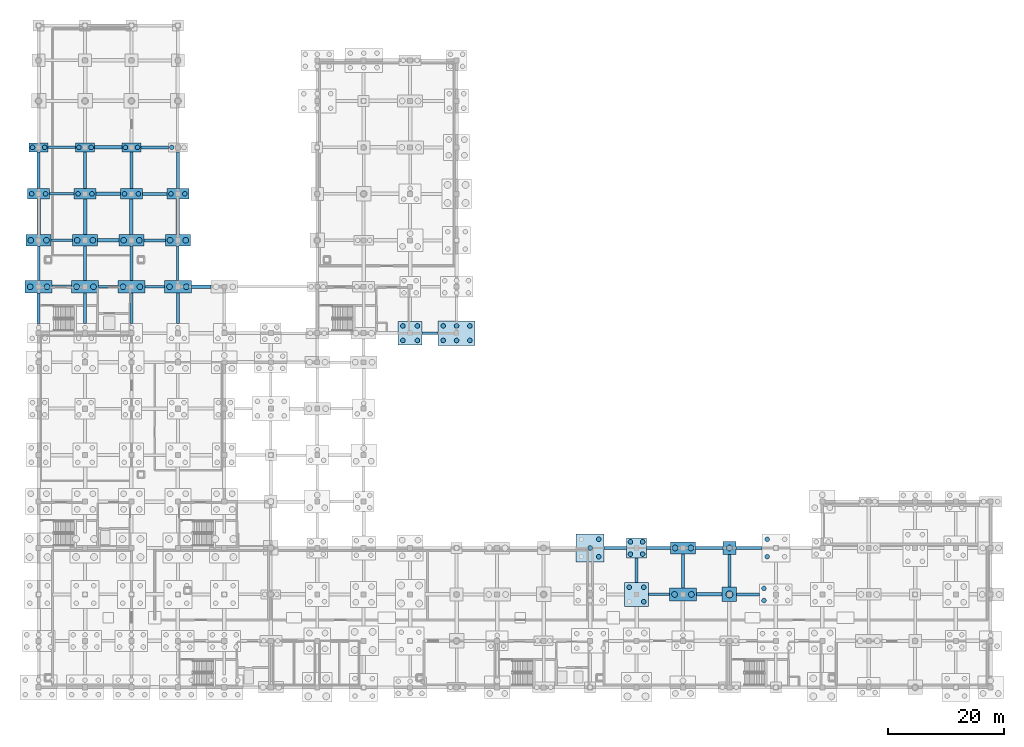
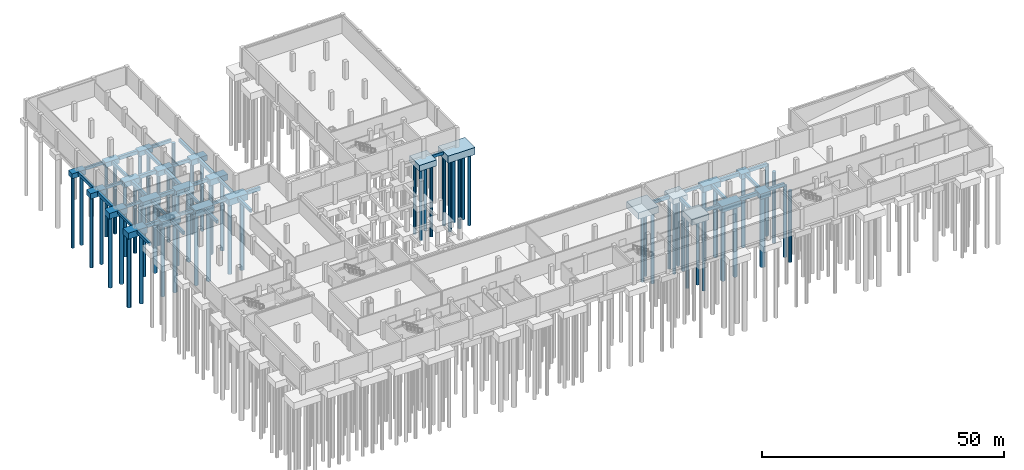
# One storey, part 6 of 26: 64 footings, 61 piles.
"""IFC4 building model written with IfcOpenShell, lengths in metres."""

from ifc_helpers import new_model, si_unit, direction, frame, origin, origin_2d, place, context, subcontext, project, spatial, rectangle, circle, extrude, material, layer, layer_set, material_profile, profile_set, type_object, element, save


model = new_model("IFC4")

# Units and contexts
model_context = context("Model", 3, precision=1e-05, world=origin(), true_north=direction((0.0, 1.0)))
body_context = subcontext(model_context, "Body", "Model", "MODEL_VIEW")
ifc_project = project(units=[si_unit("LENGTHUNIT", "METRE"), si_unit("AREAUNIT", "SQUARE_METRE"), si_unit("VOLUMEUNIT", "CUBIC_METRE"), si_unit("PLANEANGLEUNIT", "RADIAN"), si_unit("MASSUNIT", "GRAM", prefix="KILO")], contexts=[model_context])

# Site, building, storey
site_placement = place(None, origin())
site = spatial("IfcSite", under=ifc_project, at=site_placement, CompositionType="ELEMENT")
building_placement = place(site_placement, origin())
building = spatial("IfcBuilding", under=site, at=building_placement, Name="Qorikala Patio Media Centre", CompositionType="ELEMENT")
storey_placement = place(building_placement, frame((0.0, 0.0, -4.5)))
storey = spatial("IfcBuildingStorey", under=building, at=storey_placement, Name="B1", CompositionType="ELEMENT", Elevation=-4.5)

# Footings
ifc_material = material(Name="Concrete C30/37", Category="concrete")
ifc_material_profile_1 = material_profile(ifc_material, rectangle(XDim=0.449951171875, YDim=0.699951171875, at=origin_2d()), Name="RC 450x700")
ifc_profile_set_1 = profile_set([ifc_material_profile_1], Name="Concrete C30/37")
footing_type_1 = type_object("IfcFootingType", Name="GB-450X700", PredefinedType="FOOTING_BEAM", material=ifc_profile_set_1)
footing_1_placement = place(storey_placement, frame((108.050048828125, 19.0, -0.949951171875), z_axis=(1.0, 0.0, 0.0), x_axis=(0.0, 1.0, 0.0)))
element("IfcFooting", 1, at=footing_1_placement, inside=storey, type_object=footing_type_1, Name="Ground Tie Beam X-056", PredefinedType="FOOTING_BEAM", context=body_context, shape_type="SweptSolid", body=[
    extrude(rectangle(XDim=0.449951171875, YDim=0.699951171875, at=origin_2d()), origin(), (0.0, 0.0, 1.0), 3.64990234375),
])
footing_2_placement = place(storey_placement, frame((107.75, 27.0, -0.949951171875), z_axis=(1.0, 0.0, 0.0), x_axis=(0.0, 1.0, 0.0)))
element("IfcFooting", 2, at=footing_2_placement, inside=storey, type_object=footing_type_1, Name="Ground Tie Beam X-077", PredefinedType="FOOTING_BEAM", context=body_context, shape_type="SweptSolid", body=[
    extrude(rectangle(XDim=0.449951171875, YDim=0.699951171875, at=origin_2d()), origin(), (0.0, 0.0, 1.0), 4.10009765625),
])
footing_3_placement = place(storey_placement, frame((69.050048828125, 64.0, -0.949951171875), z_axis=(1.0, 0.0, 0.0), x_axis=(0.0, 1.0, 0.0)))
element("IfcFooting", 3, at=footing_3_placement, inside=storey, type_object=footing_type_1, Name="Ground Tie Beam X-125", PredefinedType="FOOTING_BEAM", context=body_context, shape_type="SweptSolid", body=[
    extrude(rectangle(XDim=0.449951171875, YDim=0.699951171875, at=origin_2d()), origin(), (0.0, 0.0, 1.0), 2.75),
])
footing_4_placement = place(storey_placement, frame((21.300048828125, 72.0, -0.949951171875), z_axis=(1.0, 0.0, 0.0), x_axis=(0.0, 1.0, 0.0)))
element("IfcFooting", 4, at=footing_4_placement, inside=storey, type_object=footing_type_1, Name="Ground Tie Beam X-128", PredefinedType="FOOTING_BEAM", context=body_context, shape_type="SweptSolid", body=[
    extrude(rectangle(XDim=0.449951171875, YDim=0.699951171875, at=origin_2d()), origin(), (0.0, 0.0, 1.0), 3.39990234375),
])
footing_5_placement = place(storey_placement, frame((5.14990234375, 80.0, -0.949951171875), z_axis=(1.0, 0.0, 0.0), x_axis=(0.0, 1.0, 0.0)))
element("IfcFooting", 5, at=footing_5_placement, inside=storey, type_object=footing_type_1, Name="Ground Tie Beam X-134", PredefinedType="FOOTING_BEAM", context=body_context, shape_type="SweptSolid", body=[
    extrude(rectangle(XDim=0.449951171875, YDim=0.699951171875, at=origin_2d()), origin(), (0.0, 0.0, 1.0), 3.7001953125),
])
footing_6_placement = place(storey_placement, frame((4.89990234375, 88.0, -0.949951171875), z_axis=(1.0, 0.0, 0.0), x_axis=(0.0, 1.0, 0.0)))
element("IfcFooting", 6, at=footing_6_placement, inside=storey, type_object=footing_type_1, Name="Ground Tie Beam X-140", PredefinedType="FOOTING_BEAM", context=body_context, shape_type="SweptSolid", body=[
    extrude(rectangle(XDim=0.449951171875, YDim=0.699951171875, at=origin_2d()), origin(), (0.0, 0.0, 1.0), 4.2001953125),
])
footing_7_placement = place(storey_placement, frame((4.64990234375, 96.0, -0.949951171875), z_axis=(1.0, 0.0, 0.0), x_axis=(0.0, 1.0, 0.0)))
element("IfcFooting", 7, at=footing_7_placement, inside=storey, type_object=footing_type_1, Name="Ground Tie Beam X-146", PredefinedType="FOOTING_BEAM", context=body_context, shape_type="SweptSolid", body=[
    extrude(rectangle(XDim=0.449951171875, YDim=0.699951171875, at=origin_2d()), origin(), (0.0, 0.0, 1.0), 4.7001953125),
])
for number, where, z_axis, x_axis, name in (
    (8, (3.0, 73.10009765625, -0.949951171875), (0.0, 1.0, 0.0), (-1.0, 0.0, 0.0), "Ground Tie Beam Y-176"),
    (9, (11.0, 73.10009765625, -0.949951171875), (0.0, 1.0, 0.0), (-1.0, 0.0, 0.0), "Ground Tie Beam Y-191"),
    (10, (19.0, 73.10009765625, -0.949951171875), (0.0, 1.0, 0.0), (-1.0, 0.0, 0.0), "Ground Tie Beam Y-206"),
    (11, (27.0, 73.10009765625, -0.949951171875), (0.0, 1.0, 0.0), (-1.0, 0.0, 0.0), "Ground Tie Beam Y-221"),
):
    element("IfcFooting", number, at=place(storey_placement, frame(where, z_axis=z_axis, x_axis=x_axis)), inside=storey, type_object=footing_type_1, Name=name, PredefinedType="FOOTING_BEAM", context=body_context, shape_type="SweptSolid", body=[
        extrude(rectangle(XDim=0.449951171875, YDim=0.699951171875, at=origin_2d()), origin(), (0.0, 0.0, 1.0), 5.89990234375),
    ])
ifc_material_profile_2 = material_profile(ifc_material, rectangle(XDim=0.5, YDim=0.800048828125, at=origin_2d()), Name="RC 500x800")
ifc_profile_set_2 = profile_set([ifc_material_profile_2], Name="Concrete C30/37")
footing_type_2 = type_object("IfcFootingType", Name="GB-500X800", PredefinedType="FOOTING_BEAM", material=ifc_profile_set_2)
footing_8_placement = place(storey_placement, frame((123.25, 19.0, -1.0), z_axis=(1.0, 0.0, 0.0), x_axis=(0.0, 1.0, 0.0)))
element("IfcFooting", 12, at=footing_8_placement, inside=storey, type_object=footing_type_2, Name="Ground Tie Beam X-058", PredefinedType="FOOTING_BEAM", context=body_context, shape_type="SweptSolid", body=[
    extrude(rectangle(XDim=0.5, YDim=0.800048828125, at=origin_2d()), origin(), (0.0, 0.0, 1.0), 3.949951171875),
])
footing_9_placement = place(storey_placement, frame((100.39990234375, 27.0, -1.0), z_axis=(1.0, 0.0, 0.0), x_axis=(0.0, 1.0, 0.0)))
element("IfcFooting", 13, at=footing_9_placement, inside=storey, type_object=footing_type_2, Name="Ground Tie Beam X-076", PredefinedType="FOOTING_BEAM", context=body_context, shape_type="SweptSolid", body=[
    extrude(rectangle(XDim=0.5, YDim=0.800048828125, at=origin_2d()), origin(), (0.0, 0.0, 1.0), 3.85009765625),
])
footing_10_placement = place(storey_placement, frame((123.10009765625, 27.0, -1.0), z_axis=(1.0, 0.0, 0.0), x_axis=(0.0, 1.0, 0.0)))
element("IfcFooting", 14, at=footing_10_placement, inside=storey, type_object=footing_type_2, Name="Ground Tie Beam X-079", PredefinedType="FOOTING_BEAM", context=body_context, shape_type="SweptSolid", body=[
    extrude(rectangle(XDim=0.5, YDim=0.800048828125, at=origin_2d()), origin(), (0.0, 0.0, 1.0), 4.5),
])
footing_11_placement = place(storey_placement, frame((13.300048828125, 72.0, -1.0), z_axis=(1.0, 0.0, 0.0), x_axis=(0.0, 1.0, 0.0)))
element("IfcFooting", 15, at=footing_11_placement, inside=storey, type_object=footing_type_2, Name="Ground Tie Beam X-127", PredefinedType="FOOTING_BEAM", context=body_context, shape_type="SweptSolid", body=[
    extrude(rectangle(XDim=0.5, YDim=0.800048828125, at=origin_2d()), origin(), (0.0, 0.0, 1.0), 3.39990234375),
])
footing_12_placement = place(storey_placement, frame((21.14990234375, 80.0, -1.0), z_axis=(1.0, 0.0, 0.0), x_axis=(0.0, 1.0, 0.0)))
element("IfcFooting", 16, at=footing_12_placement, inside=storey, type_object=footing_type_2, Name="Ground Tie Beam X-136", PredefinedType="FOOTING_BEAM", context=body_context, shape_type="SweptSolid", body=[
    extrude(rectangle(XDim=0.5, YDim=0.800048828125, at=origin_2d()), origin(), (0.0, 0.0, 1.0), 3.7001953125),
])
footing_13_placement = place(storey_placement, frame((20.89990234375, 88.0, -1.0), z_axis=(1.0, 0.0, 0.0), x_axis=(0.0, 1.0, 0.0)))
element("IfcFooting", 17, at=footing_13_placement, inside=storey, type_object=footing_type_2, Name="Ground Tie Beam X-142", PredefinedType="FOOTING_BEAM", context=body_context, shape_type="SweptSolid", body=[
    extrude(rectangle(XDim=0.5, YDim=0.800048828125, at=origin_2d()), origin(), (0.0, 0.0, 1.0), 4.2001953125),
])
footing_14_placement = place(storey_placement, frame((20.64990234375, 96.0, -1.0), z_axis=(1.0, 0.0, 0.0), x_axis=(0.0, 1.0, 0.0)))
element("IfcFooting", 18, at=footing_14_placement, inside=storey, type_object=footing_type_2, Name="Ground Tie Beam X-148", PredefinedType="FOOTING_BEAM", context=body_context, shape_type="SweptSolid", body=[
    extrude(rectangle(XDim=0.5, YDim=0.800048828125, at=origin_2d()), origin(), (0.0, 0.0, 1.0), 4.7001953125),
])
footing_15_placement = place(storey_placement, frame((3.0, 65.699951171875, -1.0), z_axis=(0.0, 1.0, 0.0), x_axis=(-1.0, 0.0, 0.0)))
element("IfcFooting", 19, at=footing_15_placement, inside=storey, type_object=footing_type_2, Name="Ground Tie Beam Y-175", PredefinedType="FOOTING_BEAM", context=body_context, shape_type="SweptSolid", body=[
    extrude(rectangle(XDim=0.5, YDim=0.800048828125, at=origin_2d()), origin(), (0.0, 0.0, 1.0), 5.199951171875),
])
footing_16_placement = place(storey_placement, frame((3.0, 88.89990234375, -1.0), z_axis=(0.0, 1.0, 0.0), x_axis=(-1.0, 0.0, 0.0)))
element("IfcFooting", 20, at=footing_16_placement, inside=storey, type_object=footing_type_2, Name="Ground Tie Beam Y-178", PredefinedType="FOOTING_BEAM", context=body_context, shape_type="SweptSolid", body=[
    extrude(rectangle(XDim=0.5, YDim=0.800048828125, at=origin_2d()), origin(), (0.0, 0.0, 1.0), 6.300048828125),
])
footing_17_placement = place(storey_placement, frame((11.0, 65.699951171875, -1.0), z_axis=(0.0, 1.0, 0.0), x_axis=(-1.0, 0.0, 0.0)))
element("IfcFooting", 21, at=footing_17_placement, inside=storey, type_object=footing_type_2, Name="Ground Tie Beam Y-190", PredefinedType="FOOTING_BEAM", context=body_context, shape_type="SweptSolid", body=[
    extrude(rectangle(XDim=0.5, YDim=0.800048828125, at=origin_2d()), origin(), (0.0, 0.0, 1.0), 5.199951171875),
])
footing_18_placement = place(storey_placement, frame((11.0, 88.89990234375, -1.0), z_axis=(0.0, 1.0, 0.0), x_axis=(-1.0, 0.0, 0.0)))
element("IfcFooting", 22, at=footing_18_placement, inside=storey, type_object=footing_type_2, Name="Ground Tie Beam Y-193", PredefinedType="FOOTING_BEAM", context=body_context, shape_type="SweptSolid", body=[
    extrude(rectangle(XDim=0.5, YDim=0.800048828125, at=origin_2d()), origin(), (0.0, 0.0, 1.0), 6.300048828125),
])
footing_19_placement = place(storey_placement, frame((19.0, 65.699951171875, -1.0), z_axis=(0.0, 1.0, 0.0), x_axis=(-1.0, 0.0, 0.0)))
element("IfcFooting", 23, at=footing_19_placement, inside=storey, type_object=footing_type_2, Name="Ground Tie Beam Y-205", PredefinedType="FOOTING_BEAM", context=body_context, shape_type="SweptSolid", body=[
    extrude(rectangle(XDim=0.5, YDim=0.800048828125, at=origin_2d()), origin(), (0.0, 0.0, 1.0), 5.199951171875),
])
footing_20_placement = place(storey_placement, frame((19.0, 88.89990234375, -1.0), z_axis=(0.0, 1.0, 0.0), x_axis=(-1.0, 0.0, 0.0)))
element("IfcFooting", 24, at=footing_20_placement, inside=storey, type_object=footing_type_2, Name="Ground Tie Beam Y-208", PredefinedType="FOOTING_BEAM", context=body_context, shape_type="SweptSolid", body=[
    extrude(rectangle(XDim=0.5, YDim=0.800048828125, at=origin_2d()), origin(), (0.0, 0.0, 1.0), 6.300048828125),
])
footing_21_placement = place(storey_placement, frame((27.0, 65.699951171875, -1.0), z_axis=(0.0, 1.0, 0.0), x_axis=(-1.0, 0.0, 0.0)))
element("IfcFooting", 25, at=footing_21_placement, inside=storey, type_object=footing_type_2, Name="Ground Tie Beam Y-220", PredefinedType="FOOTING_BEAM", context=body_context, shape_type="SweptSolid", body=[
    extrude(rectangle(XDim=0.5, YDim=0.800048828125, at=origin_2d()), origin(), (0.0, 0.0, 1.0), 5.199951171875),
])
footing_22_placement = place(storey_placement, frame((27.0, 88.89990234375, -1.0), z_axis=(0.0, 1.0, 0.0), x_axis=(-1.0, 0.0, 0.0)))
element("IfcFooting", 26, at=footing_22_placement, inside=storey, type_object=footing_type_2, Name="Ground Tie Beam Y-223", PredefinedType="FOOTING_BEAM", context=body_context, shape_type="SweptSolid", body=[
    extrude(rectangle(XDim=0.5, YDim=0.800048828125, at=origin_2d()), origin(), (0.0, 0.0, 1.0), 6.300048828125),
])
footing_23_placement = place(storey_placement, frame((106.0, 21.050048828125, -1.0), z_axis=(0.0, 1.0, 0.0), x_axis=(-1.0, 0.0, 0.0)))
element("IfcFooting", 27, at=footing_23_placement, inside=storey, type_object=footing_type_2, Name="Ground Tie Beam Y-301", PredefinedType="FOOTING_BEAM", context=body_context, shape_type="SweptSolid", body=[
    extrude(rectangle(XDim=0.5, YDim=0.800048828125, at=origin_2d()), origin(), (0.0, 0.0, 1.0), 4.199951171875),
])
footing_24_placement = place(storey_placement, frame((114.0, 20.10009765625, -1.0), z_axis=(0.0, 1.0, 0.0), x_axis=(-1.0, 0.0, 0.0)))
element("IfcFooting", 28, at=footing_24_placement, inside=storey, type_object=footing_type_2, Name="Ground Tie Beam Y-304", PredefinedType="FOOTING_BEAM", context=body_context, shape_type="SweptSolid", body=[
    extrude(rectangle(XDim=0.5, YDim=0.800048828125, at=origin_2d()), origin(), (0.0, 0.0, 1.0), 5.89990234375),
])
footing_25_placement = place(storey_placement, frame((122.0, 20.25, -1.0), z_axis=(0.0, 1.0, 0.0), x_axis=(-1.0, 0.0, 0.0)))
element("IfcFooting", 29, at=footing_25_placement, inside=storey, type_object=footing_type_2, Name="Ground Tie Beam Y-307", PredefinedType="FOOTING_BEAM", context=body_context, shape_type="SweptSolid", body=[
    extrude(rectangle(XDim=0.5, YDim=0.800048828125, at=origin_2d()), origin(), (0.0, 0.0, 1.0), 5.64990234375),
])
ifc_material_profile_3 = material_profile(ifc_material, rectangle(XDim=0.60009765625, YDim=0.89990234375, at=origin_2d()), Name="RC 600x900")
ifc_profile_set_3 = profile_set([ifc_material_profile_3], Name="Concrete C30/37")
footing_type_3 = type_object("IfcFootingType", Name="GB-600X900", PredefinedType="FOOTING_BEAM", material=ifc_profile_set_3)
footing_26_placement = place(storey_placement, frame((116.300048828125, 19.0, -1.050048828125), z_axis=(1.0, 0.0, 0.0), x_axis=(0.0, 1.0, 0.0)))
element("IfcFooting", 30, at=footing_26_placement, inside=storey, type_object=footing_type_3, Name="Ground Tie Beam X-057", PredefinedType="FOOTING_BEAM", context=body_context, shape_type="SweptSolid", body=[
    extrude(rectangle(XDim=0.60009765625, YDim=0.89990234375, at=origin_2d()), origin(), (0.0, 0.0, 1.0), 4.449951171875),
])
footing_27_placement = place(storey_placement, frame((116.14990234375, 27.0, -1.050048828125), z_axis=(1.0, 0.0, 0.0), x_axis=(0.0, 1.0, 0.0)))
element("IfcFooting", 31, at=footing_27_placement, inside=storey, type_object=footing_type_3, Name="Ground Tie Beam X-078", PredefinedType="FOOTING_BEAM", context=body_context, shape_type="SweptSolid", body=[
    extrude(rectangle(XDim=0.60009765625, YDim=0.89990234375, at=origin_2d()), origin(), (0.0, 0.0, 1.0), 4.75),
])
for number, where, z_axis, x_axis, name in (
    (32, (5.300048828125, 72.0, -1.050048828125), (1.0, 0.0, 0.0), (0.0, 1.0, 0.0), "Ground Tie Beam X-126"),
    (33, (29.300048828125, 72.0, -1.050048828125), (1.0, 0.0, 0.0), (0.0, 1.0, 0.0), "Ground Tie Beam X-129"),
):
    element("IfcFooting", number, at=place(storey_placement, frame(where, z_axis=z_axis, x_axis=x_axis)), inside=storey, type_object=footing_type_3, Name=name, PredefinedType="FOOTING_BEAM", context=body_context, shape_type="SweptSolid", body=[
        extrude(rectangle(XDim=0.60009765625, YDim=0.89990234375, at=origin_2d()), origin(), (0.0, 0.0, 1.0), 3.39990234375),
    ])
footing_28_placement = place(storey_placement, frame((13.14990234375, 80.0, -1.050048828125), z_axis=(1.0, 0.0, 0.0), x_axis=(0.0, 1.0, 0.0)))
element("IfcFooting", 34, at=footing_28_placement, inside=storey, type_object=footing_type_3, Name="Ground Tie Beam X-135", PredefinedType="FOOTING_BEAM", context=body_context, shape_type="SweptSolid", body=[
    extrude(rectangle(XDim=0.60009765625, YDim=0.89990234375, at=origin_2d()), origin(), (0.0, 0.0, 1.0), 3.7001953125),
])
footing_29_placement = place(storey_placement, frame((12.89990234375, 88.0, -1.050048828125), z_axis=(1.0, 0.0, 0.0), x_axis=(0.0, 1.0, 0.0)))
element("IfcFooting", 35, at=footing_29_placement, inside=storey, type_object=footing_type_3, Name="Ground Tie Beam X-141", PredefinedType="FOOTING_BEAM", context=body_context, shape_type="SweptSolid", body=[
    extrude(rectangle(XDim=0.60009765625, YDim=0.89990234375, at=origin_2d()), origin(), (0.0, 0.0, 1.0), 4.2001953125),
])
footing_30_placement = place(storey_placement, frame((12.64990234375, 96.0, -1.050048828125), z_axis=(1.0, 0.0, 0.0), x_axis=(0.0, 1.0, 0.0)))
element("IfcFooting", 36, at=footing_30_placement, inside=storey, type_object=footing_type_3, Name="Ground Tie Beam X-147", PredefinedType="FOOTING_BEAM", context=body_context, shape_type="SweptSolid", body=[
    extrude(rectangle(XDim=0.60009765625, YDim=0.89990234375, at=origin_2d()), origin(), (0.0, 0.0, 1.0), 4.7001953125),
])
for number, where, z_axis, x_axis, name in (
    (37, (3.0, 81.0, -1.050048828125), (0.0, 1.0, 0.0), (-1.0, 0.0, 0.0), "Ground Tie Beam Y-177"),
    (38, (11.0, 81.0, -1.050048828125), (0.0, 1.0, 0.0), (-1.0, 0.0, 0.0), "Ground Tie Beam Y-192"),
    (39, (19.0, 81.0, -1.050048828125), (0.0, 1.0, 0.0), (-1.0, 0.0, 0.0), "Ground Tie Beam Y-207"),
    (40, (27.0, 81.0, -1.050048828125), (0.0, 1.0, 0.0), (-1.0, 0.0, 0.0), "Ground Tie Beam Y-222"),
):
    element("IfcFooting", number, at=place(storey_placement, frame(where, z_axis=z_axis, x_axis=x_axis)), inside=storey, type_object=footing_type_3, Name=name, PredefinedType="FOOTING_BEAM", context=body_context, shape_type="SweptSolid", body=[
        extrude(rectangle(XDim=0.60009765625, YDim=0.89990234375, at=origin_2d()), origin(), (0.0, 0.0, 1.0), 6.10009765625),
    ])
ifc_layer_1 = layer(ifc_material, 1.25)
ifc_layer_set_1 = layer_set([ifc_layer_1], Name="Concrete C30/37")
footing_type_4 = type_object("IfcFootingType", Name="PC-1B", PredefinedType="PILE_CAP", material=ifc_layer_set_1)
footing_31_placement = place(storey_placement, frame((122.0, 27.0, -1.85009765625), z_axis=(0.0, 0.0, 1.0), x_axis=(1.0, 0.0, 0.0)))
element("IfcFooting", 41, at=footing_31_placement, inside=storey, type_object=footing_type_4, Name="Pile Cap PC-1B at (122.0,27.0)", PredefinedType="PILE_CAP", context=body_context, shape_type="SweptSolid", body=[
    extrude(rectangle(XDim=2.199951171875, YDim=2.199951171875, at=origin_2d()), origin(), (0.0, 0.0, 1.0), 1.25),
])
ifc_layer_2 = layer(ifc_material, 1.35009765625)
ifc_layer_set_2 = layer_set([ifc_layer_2], Name="Concrete C30/37")
footing_type_5 = type_object("IfcFootingType", Name="PC-1C", PredefinedType="PILE_CAP", material=ifc_layer_set_2)
footing_32_placement = place(storey_placement, frame((122.0, 19.0, -1.949951171875), z_axis=(0.0, 0.0, 1.0), x_axis=(1.0, 0.0, 0.0)))
element("IfcFooting", 42, at=footing_32_placement, inside=storey, type_object=footing_type_5, Name="Pile Cap PC-1C at (122.0,19.0)", PredefinedType="PILE_CAP", context=body_context, shape_type="SweptSolid", body=[
    extrude(rectangle(XDim=2.5, YDim=2.5, at=origin_2d()), origin(), (0.0, 0.0, 1.0), 1.35009765625),
])
ifc_layer_3 = layer(ifc_material, 1.25)
ifc_layer_set_3 = layer_set([ifc_layer_3], Name="Concrete C30/37")
footing_type_6 = type_object("IfcFootingType", Name="PC-2A", PredefinedType="PILE_CAP", material=ifc_layer_set_3)
for number, where, z_axis, x_axis, name in (
    (43, (3.0, 96.0, -1.85009765625), (0.0, 0.0, 1.0), (1.0, 0.0, 0.0), "Pile Cap PC-2A at (3.0,96.0)"),
    (44, (11.0, 96.0, -1.85009765625), (0.0, 0.0, 1.0), (1.0, 0.0, 0.0), "Pile Cap PC-2A at (11.0,96.0)"),
    (45, (19.0, 96.0, -1.85009765625), (0.0, 0.0, 1.0), (1.0, 0.0, 0.0), "Pile Cap PC-2A at (19.0,96.0)"),
):
    element("IfcFooting", number, at=place(storey_placement, frame(where, z_axis=z_axis, x_axis=x_axis)), inside=storey, type_object=footing_type_6, Name=name, PredefinedType="PILE_CAP", context=body_context, shape_type="SweptSolid", body=[
        extrude(rectangle(XDim=3.300048828125, YDim=1.60009765625, at=origin_2d()), origin(), (0.0, 0.0, 1.0), 1.25),
    ])
ifc_layer_4 = layer(ifc_material, 1.35009765625)
ifc_layer_set_4 = layer_set([ifc_layer_4], Name="Concrete C30/37")
footing_type_7 = type_object("IfcFootingType", Name="PC-2B", PredefinedType="PILE_CAP", material=ifc_layer_set_4)
for number, where, z_axis, x_axis, name in (
    (46, (3.0, 88.0, -1.949951171875), (0.0, 0.0, 1.0), (1.0, 0.0, 0.0), "Pile Cap PC-2B at (3.0,88.0)"),
    (47, (11.0, 88.0, -1.949951171875), (0.0, 0.0, 1.0), (1.0, 0.0, 0.0), "Pile Cap PC-2B at (11.0,88.0)"),
    (48, (19.0, 88.0, -1.949951171875), (0.0, 0.0, 1.0), (1.0, 0.0, 0.0), "Pile Cap PC-2B at (19.0,88.0)"),
    (49, (27.0, 88.0, -1.949951171875), (0.0, 0.0, 1.0), (1.0, 0.0, 0.0), "Pile Cap PC-2B at (27.0,88.0)"),
):
    element("IfcFooting", number, at=place(storey_placement, frame(where, z_axis=z_axis, x_axis=x_axis)), inside=storey, type_object=footing_type_7, Name=name, PredefinedType="PILE_CAP", context=body_context, shape_type="SweptSolid", body=[
        extrude(rectangle(XDim=3.800048828125, YDim=1.800048828125, at=origin_2d()), origin(), (0.0, 0.0, 1.0), 1.35009765625),
    ])
ifc_layer_5 = layer(ifc_material, 1.449951171875)
ifc_layer_set_5 = layer_set([ifc_layer_5], Name="Concrete C30/37")
footing_type_8 = type_object("IfcFootingType", Name="PC-2C", PredefinedType="PILE_CAP", material=ifc_layer_set_5)
for number, where, z_axis, x_axis, name in (
    (50, (3.0, 80.0, -2.0498046875), (0.0, 0.0, 1.0), (1.0, 0.0, 0.0), "Pile Cap PC-2C at (3.0,80.0)"),
    (51, (11.0, 80.0, -2.0498046875), (0.0, 0.0, 1.0), (1.0, 0.0, 0.0), "Pile Cap PC-2C at (11.0,80.0)"),
    (52, (19.0, 80.0, -2.0498046875), (0.0, 0.0, 1.0), (1.0, 0.0, 0.0), "Pile Cap PC-2C at (19.0,80.0)"),
    (53, (27.0, 80.0, -2.0498046875), (0.0, 0.0, 1.0), (1.0, 0.0, 0.0), "Pile Cap PC-2C at (27.0,80.0)"),
    (54, (114.0, 27.0, -2.0498046875), (0.0, 0.0, 1.0), (1.0, 0.0, 0.0), "Pile Cap PC-2C at (114.0,27.0)"),
):
    element("IfcFooting", number, at=place(storey_placement, frame(where, z_axis=z_axis, x_axis=x_axis)), inside=storey, type_object=footing_type_8, Name=name, PredefinedType="PILE_CAP", context=body_context, shape_type="SweptSolid", body=[
        extrude(rectangle(XDim=4.300048828125, YDim=2.0, at=origin_2d()), origin(), (0.0, 0.0, 1.0), 1.449951171875),
    ])
ifc_layer_6 = layer(ifc_material, 1.550048828125)
ifc_layer_set_6 = layer_set([ifc_layer_6], Name="Concrete C30/37")
footing_type_9 = type_object("IfcFootingType", Name="PC-2D", PredefinedType="PILE_CAP", material=ifc_layer_set_6)
for number, where, z_axis, x_axis, name in (
    (55, (3.0, 72.0, -2.14990234375), (0.0, 0.0, 1.0), (1.0, 0.0, 0.0), "Pile Cap PC-2D at (3.0,72.0)"),
    (56, (11.0, 72.0, -2.14990234375), (0.0, 0.0, 1.0), (1.0, 0.0, 0.0), "Pile Cap PC-2D at (11.0,72.0)"),
    (57, (19.0, 72.0, -2.14990234375), (0.0, 0.0, 1.0), (1.0, 0.0, 0.0), "Pile Cap PC-2D at (19.0,72.0)"),
    (58, (27.0, 72.0, -2.14990234375), (0.0, 0.0, 1.0), (1.0, 0.0, 0.0), "Pile Cap PC-2D at (27.0,72.0)"),
    (59, (114.0, 19.0, -2.14990234375), (0.0, 0.0, 1.0), (1.0, 0.0, 0.0), "Pile Cap PC-2D at (114.0,19.0)"),
):
    element("IfcFooting", number, at=place(storey_placement, frame(where, z_axis=z_axis, x_axis=x_axis)), inside=storey, type_object=footing_type_9, Name=name, PredefinedType="PILE_CAP", context=body_context, shape_type="SweptSolid", body=[
        extrude(rectangle(XDim=4.60009765625, YDim=2.199951171875, at=origin_2d()), origin(), (0.0, 0.0, 1.0), 1.550048828125),
    ])
ifc_layer_7 = layer(ifc_material, 1.39990234375)
ifc_layer_set_7 = layer_set([ifc_layer_7], Name="Concrete C30/37")
footing_type_10 = type_object("IfcFootingType", Name="PC-4A", PredefinedType="PILE_CAP", material=ifc_layer_set_7)
footing_33_placement = place(storey_placement, frame((106.0, 27.0, -2.0), z_axis=(0.0, 0.0, 1.0), x_axis=(1.0, 0.0, 0.0)))
element("IfcFooting", 60, at=footing_33_placement, inside=storey, type_object=footing_type_10, Name="Pile Cap PC-4A at (106.0,27.0)", PredefinedType="PILE_CAP", context=body_context, shape_type="SweptSolid", body=[
    extrude(rectangle(XDim=3.5, YDim=3.5, at=origin_2d()), origin(), (0.0, 0.0, 1.0), 1.39990234375),
])
ifc_layer_8 = layer(ifc_material, 1.5)
ifc_layer_set_8 = layer_set([ifc_layer_8], Name="Concrete C30/37")
footing_type_11 = type_object("IfcFootingType", Name="PC-4B", PredefinedType="PILE_CAP", material=ifc_layer_set_8)
for number, where, z_axis, x_axis, name in (
    (61, (67.0, 64.0, -2.10009765625), (0.0, 0.0, 1.0), (1.0, 0.0, 0.0), "Pile Cap PC-4B at (67.0,64.0)"),
    (62, (106.0, 19.0, -2.10009765625), (0.0, 0.0, 1.0), (1.0, 0.0, 0.0), "Pile Cap PC-4B at (106.0,19.0)"),
):
    element("IfcFooting", number, at=place(storey_placement, frame(where, z_axis=z_axis, x_axis=x_axis)), inside=storey, type_object=footing_type_11, Name=name, PredefinedType="PILE_CAP", context=body_context, shape_type="SweptSolid", body=[
        extrude(rectangle(XDim=4.10009765625, YDim=4.10009765625, at=origin_2d()), origin(), (0.0, 0.0, 1.0), 1.5),
    ])
ifc_layer_9 = layer(ifc_material, 1.64990234375)
ifc_layer_set_9 = layer_set([ifc_layer_9], Name="Concrete C30/37")
footing_type_12 = type_object("IfcFootingType", Name="PC-5A", PredefinedType="PILE_CAP", material=ifc_layer_set_9)
footing_34_placement = place(storey_placement, frame((98.0, 27.0, -2.25), z_axis=(0.0, 0.0, 1.0), x_axis=(1.0, 0.0, 0.0)))
element("IfcFooting", 63, at=footing_34_placement, inside=storey, type_object=footing_type_12, Name="Pile Cap PC-5A at (98.0,27.0)", PredefinedType="PILE_CAP", context=body_context, shape_type="SweptSolid", body=[
    extrude(rectangle(XDim=4.800048828125, YDim=4.800048828125, at=origin_2d()), origin(), (0.0, 0.0, 1.0), 1.64990234375),
])
ifc_layer_10 = layer(ifc_material, 1.800048828125)
ifc_layer_set_10 = layer_set([ifc_layer_10], Name="Concrete C30/37")
footing_type_13 = type_object("IfcFootingType", Name="PC-6B", PredefinedType="PILE_CAP", material=ifc_layer_set_10)
footing_35_placement = place(storey_placement, frame((75.0, 64.0, -2.39990234375), z_axis=(0.0, 0.0, 1.0), x_axis=(1.0, 0.0, 0.0)))
element("IfcFooting", 64, at=footing_35_placement, inside=storey, type_object=footing_type_13, Name="Pile Cap PC-6B at (75.0,64.0)", PredefinedType="PILE_CAP", context=body_context, shape_type="SweptSolid", body=[
    extrude(rectangle(XDim=6.39990234375, YDim=4.199951171875, at=origin_2d()), origin(), (0.0, 0.0, 1.0), 1.800048828125),
])

# Piles
ifc_material_profile_4 = material_profile(ifc_material, circle(Radius=0.5, at=origin_2d()), Name="BORED PILE 1000")
ifc_profile_set_4 = profile_set([ifc_material_profile_4], Name="Concrete C30/37")
pile_type_1 = type_object("IfcPileType", Name="PILE-1000", PredefinedType="BORED", material=ifc_profile_set_4)
for number, where, z_axis, x_axis, name in (
    (65, (1.550048828125, 72.0, -2.050048828125), (0.0, 0.0, -1.0), (1.0, 0.0, 0.0), "Bored Pile 0040"),
    (66, (4.449951171875, 72.0, -2.050048828125), (0.0, 0.0, -1.0), (1.0, 0.0, 0.0), "Bored Pile 0041"),
    (67, (1.64990234375, 80.0, -1.949951171875), (0.0, 0.0, -1.0), (1.0, 0.0, 0.0), "Bored Pile 0042"),
    (68, (4.35009765625, 80.0, -1.949951171875), (0.0, 0.0, -1.0), (1.0, 0.0, 0.0), "Bored Pile 0043"),
    (69, (9.550048828125, 72.0, -2.050048828125), (0.0, 0.0, -1.0), (1.0, 0.0, 0.0), "Bored Pile 0090"),
    (70, (12.449951171875, 72.0, -2.050048828125), (0.0, 0.0, -1.0), (1.0, 0.0, 0.0), "Bored Pile 0091"),
    (71, (9.64990234375, 80.0, -1.949951171875), (0.0, 0.0, -1.0), (1.0, 0.0, 0.0), "Bored Pile 0092"),
    (72, (12.35009765625, 80.0, -1.949951171875), (0.0, 0.0, -1.0), (1.0, 0.0, 0.0), "Bored Pile 0093"),
    (73, (17.550048828125, 72.0, -2.050048828125), (0.0, 0.0, -1.0), (1.0, 0.0, 0.0), "Bored Pile 0140"),
    (74, (20.449951171875, 72.0, -2.050048828125), (0.0, 0.0, -1.0), (1.0, 0.0, 0.0), "Bored Pile 0141"),
    (75, (17.64990234375, 80.0, -1.949951171875), (0.0, 0.0, -1.0), (1.0, 0.0, 0.0), "Bored Pile 0142"),
    (76, (20.35009765625, 80.0, -1.949951171875), (0.0, 0.0, -1.0), (1.0, 0.0, 0.0), "Bored Pile 0143"),
    (77, (25.550048828125, 72.0, -2.050048828125), (0.0, 0.0, -1.0), (1.0, 0.0, 0.0), "Bored Pile 0190"),
    (78, (28.449951171875, 72.0, -2.050048828125), (0.0, 0.0, -1.0), (1.0, 0.0, 0.0), "Bored Pile 0191"),
    (79, (25.64990234375, 80.0, -1.949951171875), (0.0, 0.0, -1.0), (1.0, 0.0, 0.0), "Bored Pile 0192"),
    (80, (28.35009765625, 80.0, -1.949951171875), (0.0, 0.0, -1.0), (1.0, 0.0, 0.0), "Bored Pile 0193"),
    (81, (112.550048828125, 19.0, -2.050048828125), (0.0, 0.0, -1.0), (1.0, 0.0, 0.0), "Bored Pile 0489"),
    (82, (115.449951171875, 19.0, -2.050048828125), (0.0, 0.0, -1.0), (1.0, 0.0, 0.0), "Bored Pile 0490"),
    (83, (112.64990234375, 27.0, -1.949951171875), (0.0, 0.0, -1.0), (1.0, 0.0, 0.0), "Bored Pile 0491"),
    (84, (115.35009765625, 27.0, -1.949951171875), (0.0, 0.0, -1.0), (1.0, 0.0, 0.0), "Bored Pile 0492"),
    (85, (122.0, 27.0, -1.75), (0.0, 0.0, -1.0), (1.0, 0.0, 0.0), "Bored Pile 0498"),
):
    element("IfcPile", number, at=place(storey_placement, frame(where, z_axis=z_axis, x_axis=x_axis)), inside=storey, type_object=pile_type_1, Name=name, PredefinedType="BORED", context=body_context, shape_type="SweptSolid", body=[
        extrude(circle(Radius=0.5, at=origin_2d()), origin(), (0.0, 0.0, 1.0), 18.0),
    ])
ifc_material_profile_5 = material_profile(ifc_material, circle(Radius=0.60009765625, at=origin_2d()), Name="BORED PILE 1200")
ifc_profile_set_5 = profile_set([ifc_material_profile_5], Name="Concrete C30/37")
pile_type_2 = type_object("IfcPileType", Name="PILE-1200", PredefinedType="BORED", material=ifc_profile_set_5)
pile_placement = place(storey_placement, frame((122.0, 19.0, -1.85009765625), z_axis=(0.0, 0.0, -1.0), x_axis=(1.0, 0.0, 0.0)))
element("IfcPile", 86, at=pile_placement, inside=storey, type_object=pile_type_2, Name="Bored Pile 0497", PredefinedType="BORED", context=body_context, shape_type="SweptSolid", body=[
    extrude(circle(Radius=0.60009765625, at=origin_2d()), origin(), (0.0, 0.0, 1.0), 18.0),
])
ifc_material_profile_6 = material_profile(ifc_material, circle(Radius=0.39990234375, at=origin_2d()), Name="BORED PILE 800")
ifc_profile_set_6 = profile_set([ifc_material_profile_6], Name="Concrete C30/37")
pile_type_3 = type_object("IfcPileType", Name="PILE-800", PredefinedType="BORED", material=ifc_profile_set_6)
for number, where, z_axis, x_axis, name in (
    (87, (1.800048828125, 88.0, -1.85009765625), (0.0, 0.0, -1.0), (1.0, 0.0, 0.0), "Bored Pile 0044"),
    (88, (4.199951171875, 88.0, -1.85009765625), (0.0, 0.0, -1.0), (1.0, 0.0, 0.0), "Bored Pile 0045"),
    (89, (1.949951171875, 96.0, -1.75), (0.0, 0.0, -1.0), (1.0, 0.0, 0.0), "Bored Pile 0046"),
    (90, (4.050048828125, 96.0, -1.75), (0.0, 0.0, -1.0), (1.0, 0.0, 0.0), "Bored Pile 0047"),
    (91, (9.800048828125, 88.0, -1.85009765625), (0.0, 0.0, -1.0), (1.0, 0.0, 0.0), "Bored Pile 0094"),
    (92, (12.199951171875, 88.0, -1.85009765625), (0.0, 0.0, -1.0), (1.0, 0.0, 0.0), "Bored Pile 0095"),
    (93, (9.949951171875, 96.0, -1.75), (0.0, 0.0, -1.0), (1.0, 0.0, 0.0), "Bored Pile 0096"),
    (94, (12.050048828125, 96.0, -1.75), (0.0, 0.0, -1.0), (1.0, 0.0, 0.0), "Bored Pile 0097"),
    (95, (17.800048828125, 88.0, -1.85009765625), (0.0, 0.0, -1.0), (1.0, 0.0, 0.0), "Bored Pile 0144"),
    (96, (20.199951171875, 88.0, -1.85009765625), (0.0, 0.0, -1.0), (1.0, 0.0, 0.0), "Bored Pile 0145"),
    (97, (17.949951171875, 96.0, -1.75), (0.0, 0.0, -1.0), (1.0, 0.0, 0.0), "Bored Pile 0146"),
    (98, (20.050048828125, 96.0, -1.75), (0.0, 0.0, -1.0), (1.0, 0.0, 0.0), "Bored Pile 0147"),
    (99, (25.800048828125, 88.0, -1.85009765625), (0.0, 0.0, -1.0), (1.0, 0.0, 0.0), "Bored Pile 0194"),
    (100, (28.199951171875, 88.0, -1.85009765625), (0.0, 0.0, -1.0), (1.0, 0.0, 0.0), "Bored Pile 0195"),
    (101, (25.949951171875, 96.0, -1.75), (0.0, 0.0, -1.0), (1.0, 0.0, 0.0), "Bored Pile 0196"),
    (102, (65.75, 62.75, -2.0), (0.0, 0.0, -1.0), (1.0, 0.0, 0.0), "Bored Pile 0375"),
    (103, (68.25, 62.75, -2.0), (0.0, 0.0, -1.0), (1.0, 0.0, 0.0), "Bored Pile 0376"),
    (104, (65.75, 65.25, -2.0), (0.0, 0.0, -1.0), (1.0, 0.0, 0.0), "Bored Pile 0377"),
    (105, (68.25, 65.25, -2.0), (0.0, 0.0, -1.0), (1.0, 0.0, 0.0), "Bored Pile 0378"),
    (106, (72.699951171875, 62.75, -2.300048828125), (0.0, 0.0, -1.0), (1.0, 0.0, 0.0), "Bored Pile 0400"),
    (107, (75.0, 62.75, -2.300048828125), (0.0, 0.0, -1.0), (1.0, 0.0, 0.0), "Bored Pile 0401"),
    (108, (77.300048828125, 62.75, -2.300048828125), (0.0, 0.0, -1.0), (1.0, 0.0, 0.0), "Bored Pile 0402"),
    (109, (72.699951171875, 65.25, -2.300048828125), (0.0, 0.0, -1.0), (1.0, 0.0, 0.0), "Bored Pile 0403"),
    (110, (75.0, 65.25, -2.300048828125), (0.0, 0.0, -1.0), (1.0, 0.0, 0.0), "Bored Pile 0404"),
    (111, (77.300048828125, 65.25, -2.300048828125), (0.0, 0.0, -1.0), (1.0, 0.0, 0.0), "Bored Pile 0405"),
    (112, (99.5, 25.5, -2.14990234375), (0.0, 0.0, -1.0), (1.0, 0.0, 0.0), "Bored Pile 0463"),
    (113, (98.0, 27.0, -2.14990234375), (0.0, 0.0, -1.0), (1.0, 0.0, 0.0), "Bored Pile 0464"),
    (114, (99.5, 28.5, -2.14990234375), (0.0, 0.0, -1.0), (1.0, 0.0, 0.0), "Bored Pile 0466"),
    (115, (107.25, 17.75, -2.0), (0.0, 0.0, -1.0), (1.0, 0.0, 0.0), "Bored Pile 0476"),
    (116, (104.75, 20.25, -2.0), (0.0, 0.0, -1.0), (1.0, 0.0, 0.0), "Bored Pile 0477"),
    (117, (107.25, 20.25, -2.0), (0.0, 0.0, -1.0), (1.0, 0.0, 0.0), "Bored Pile 0478"),
    (118, (104.949951171875, 25.949951171875, -1.89990234375), (0.0, 0.0, -1.0), (1.0, 0.0, 0.0), "Bored Pile 0479"),
    (119, (107.050048828125, 25.949951171875, -1.89990234375), (0.0, 0.0, -1.0), (1.0, 0.0, 0.0), "Bored Pile 0480"),
    (120, (104.949951171875, 28.050048828125, -1.89990234375), (0.0, 0.0, -1.0), (1.0, 0.0, 0.0), "Bored Pile 0481"),
    (121, (107.050048828125, 28.050048828125, -1.89990234375), (0.0, 0.0, -1.0), (1.0, 0.0, 0.0), "Bored Pile 0482"),
    (122, (127.949951171875, 17.949951171875, -2.14990234375), (0.0, 0.0, -1.0), (1.0, 0.0, 0.0), "Bored Pile 0506"),
    (123, (127.949951171875, 20.050048828125, -2.14990234375), (0.0, 0.0, -1.0), (1.0, 0.0, 0.0), "Bored Pile 0509"),
    (124, (128.5, 25.5, -2.14990234375), (0.0, 0.0, -1.0), (1.0, 0.0, 0.0), "Bored Pile 0512"),
    (125, (128.5, 28.5, -2.14990234375), (0.0, 0.0, -1.0), (1.0, 0.0, 0.0), "Bored Pile 0515"),
):
    element("IfcPile", number, at=place(storey_placement, frame(where, z_axis=z_axis, x_axis=x_axis)), inside=storey, type_object=pile_type_3, Name=name, PredefinedType="BORED", context=body_context, shape_type="SweptSolid", body=[
        extrude(circle(Radius=0.39990234375, at=origin_2d()), origin(), (0.0, 0.0, 1.0), 18.0),
    ])

save(model, "model.ifc")
